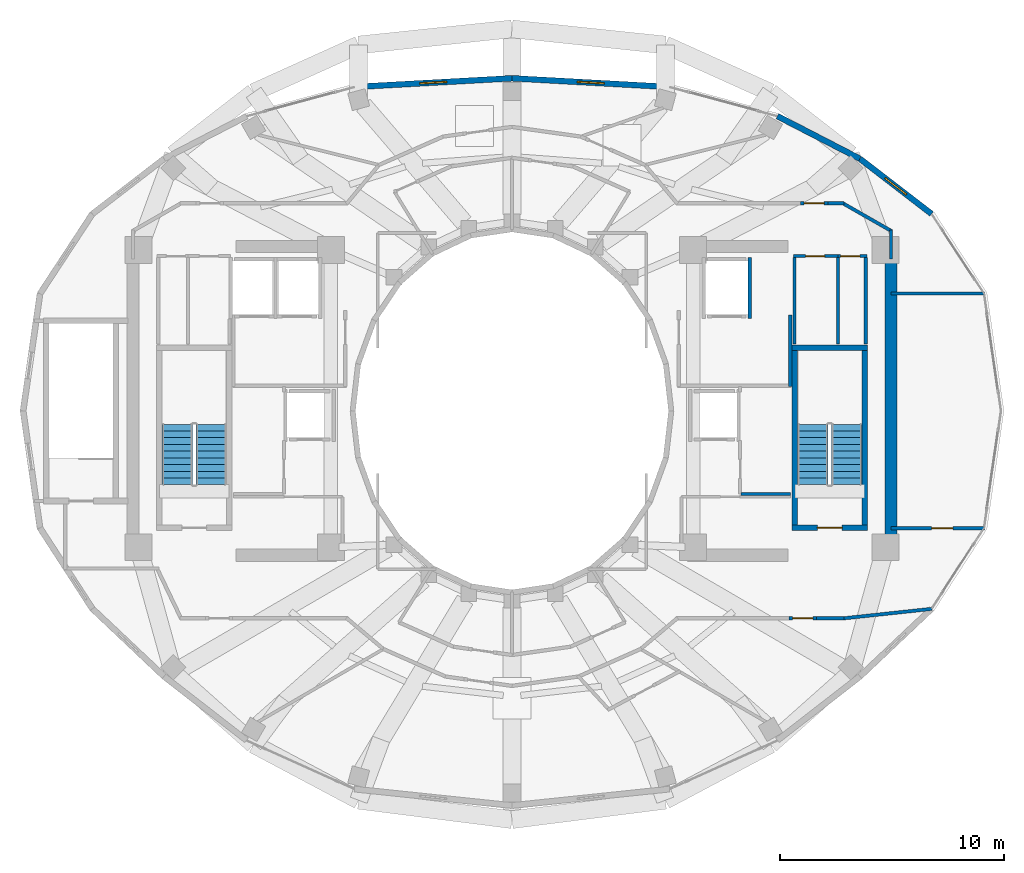
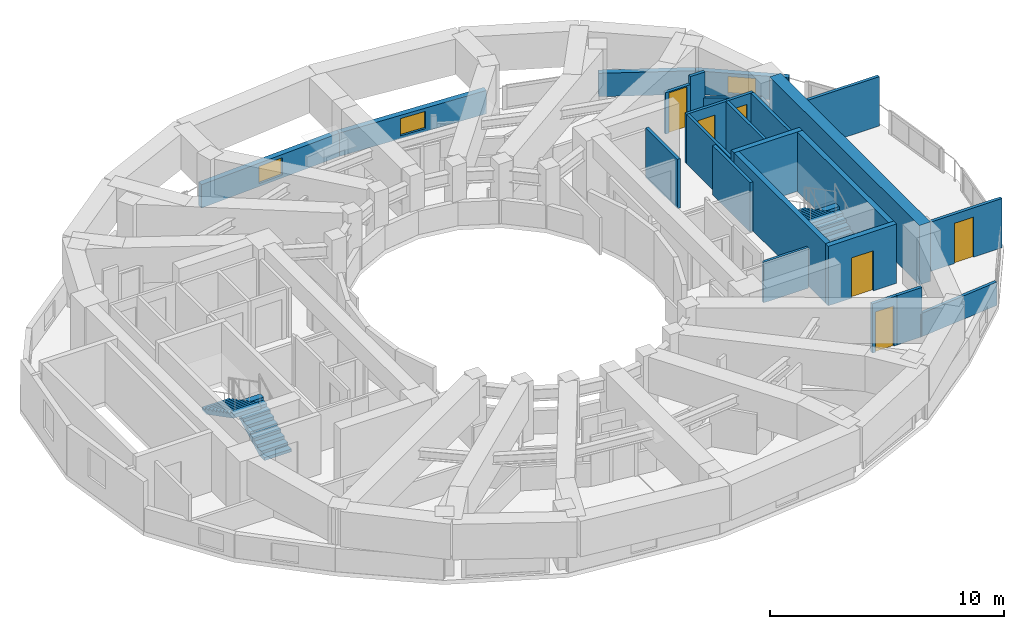
# One storey, part 17 of 20: 26 walls, 6 doors, 4 stair flights, 3 windows, 9 openings, 2 elements without a shape of their own.
"""IFC4 building model written with IfcOpenShell, lengths in metres."""

from ifc_helpers import new_model, si_unit, direction, frame, frame_2d, origin, place, context, subcontext, project, spatial, polyline, rectangle, outline, extrude, material, layer, layer_set, type_object, element, fill, aggregate, save


model = new_model("IFC4")

# Units and contexts
model_context = context("Model", 3, precision=1e-05, world=origin(), true_north=direction((0.0, 1.0)))
body_context = subcontext(model_context, "Body", "Model", "MODEL_VIEW")
ifc_project = project(units=[si_unit("LENGTHUNIT", "METRE"), si_unit("AREAUNIT", "SQUARE_METRE"), si_unit("VOLUMEUNIT", "CUBIC_METRE"), si_unit("PLANEANGLEUNIT", "RADIAN"), si_unit("MASSUNIT", "GRAM", prefix="KILO")], contexts=[model_context])

# Site, building, storey
site_placement = place(None, origin())
site = spatial("IfcSite", under=ifc_project, at=site_placement, CompositionType="ELEMENT")
building_placement = place(site_placement, origin())
building = spatial("IfcBuilding", under=site, at=building_placement, Name="Solvane Sanctuary Tower", CompositionType="ELEMENT")
storey_placement = place(building_placement, frame((0.0, 0.0, 217.10009765625)))
storey = spatial("IfcBuildingStorey", under=building, at=storey_placement, Name="L66", CompositionType="ELEMENT", Elevation=217.10009765625)

# Walls
ifc_material_1 = material(Name="Concrete C50/60", Category="concrete")
ifc_layer_1 = layer(ifc_material_1, 0.550048828125, Name="Concrete C50/60")
ifc_layer_set_1 = layer_set([ifc_layer_1], Name="Concrete C50/60")
wall_type_1 = type_object("IfcWallType", Name="Wall W-CORE-550", PredefinedType="SHEAR", material=ifc_layer_set_1)
wall_1_placement = place(storey_placement, frame((48.949951171875, 17.050048828125, 0.0), z_axis=(0.0, 0.0, 1.0), x_axis=(0.0, 1.0, 0.0)))
element("IfcWall", 1, at=wall_1_placement, inside=storey, type_object=wall_type_1, Name="L66 Core Shear Wall EC-E", PredefinedType="SHEAR", context=body_context, shape_type="SweptSolid", body=[
    extrude(rectangle(XDim=12.800048828125, YDim=0.550048828125, at=frame_2d((6.39990234375, 0.0))), origin(), (0.0, 0.0, 1.0), 3.099853515625),
])
ifc_material_2 = material(Name="Acoustic Gypsum Partition Board")
ifc_layer_2 = layer(ifc_material_2, 0.14990234375, Name="Acoustic Gypsum Partition Board")
ifc_layer_set_2 = layer_set([ifc_layer_2], Name="Acoustic Gypsum Partition Board")
wall_type_2 = type_object("IfcWallType", Name="Wall W-CORR-150", PredefinedType="PARTITIONING", material=ifc_layer_set_2)
wall_2_placement = place(storey_placement, frame((44.449951171875, 24.080078125, 0.0), z_axis=(0.0, 0.0, 1.0), x_axis=(0.0, 1.0, 0.0)))
element("IfcWall", 2, at=wall_2_placement, inside=storey, type_object=wall_type_2, Name="L66 East Firefighting Lobby East Wall", PredefinedType="PARTITIONING", context=body_context, shape_type="SweptSolid", body=[
    extrude(rectangle(XDim=3.199951171875, YDim=0.14990234375, at=frame_2d((1.60009765625, 0.0))), origin(), (0.0, 0.0, 1.0), 2.574951171875),
])

# Wall, opening, door
wall_3_placement = place(storey_placement, frame((48.949951171875, 17.754638671875, 0.0), z_axis=(0.0, 0.0, 1.0), x_axis=(1.0, 0.0, 0.0)))
wall_3 = element("IfcWall", 3, at=wall_3_placement, inside=storey, type_object=wall_type_2, Name="L66 East Shoulder South Wall", PredefinedType="PARTITIONING", context=body_context, shape_type="SweptSolid", body=[
    extrude(rectangle(XDim=4.174560546875, YDim=0.14990234375, at=frame_2d((2.08740234375, 0.0))), origin(), (0.0, 0.0, 1.0), 2.574951171875),
])
opening_1_placement = place(wall_3_placement, frame((1.817138671875, 0.0, 0.0)))
opening_1 = element("IfcOpeningElement", 4, at=opening_1_placement, cuts=wall_3, Name="Opening D-L66-18", PredefinedType="OPENING", context=body_context, shape_type="SweptSolid", body=[
    extrude(rectangle(XDim=0.949951171875, YDim=2.10009765625, at=frame_2d((0.47509765625, 1.050048828125))), frame((0.0, 0.0849609375, 0.0), z_axis=(0.0, -1.0, 0.0), x_axis=(1.0, 0.0, 0.0)), (0.0, 0.0, 1.0), 0.169921875),
])
ifc_material_3 = material(Name="Engineered Tropical Hardwood", Category="wood")
door_type_1 = type_object("IfcDoorType", Name="Door D-ROOM-950", OperationType="NOTDEFINED", PredefinedType="DOOR", material=ifc_material_3)
door_1_placement = place(opening_1_placement, origin())
door_1 = element("IfcDoor", 5, at=door_1_placement, inside=storey, type_object=door_type_1, Name="L66 East Shoulder South Door", OperationType="SINGLE_SWING_RIGHT", OverallHeight=2.10009765625, OverallWidth=0.949951171875, PredefinedType="DOOR", context=body_context, shape_type="SweptSolid", body=[
    extrude(rectangle(XDim=0.949951171875, YDim=2.10009765625, at=frame_2d((0.47509765625, 1.050048828125))), frame((0.0, 0.02490234375, 0.0), z_axis=(0.0, -1.0, 0.0), x_axis=(1.0, 0.0, 0.0)), (0.0, 0.0, 1.0), 0.050048828125),
])
fill(opening_1, door_1)

# Walls
wall_4_placement = place(storey_placement, frame((48.949951171875, 28.245361328125, 0.0), z_axis=(0.0, 0.0, 1.0), x_axis=(1.0, 0.0, 0.0)))
element("IfcWall", 6, at=wall_4_placement, inside=storey, type_object=wall_type_2, Name="L66 East Shoulder North Wall", PredefinedType="PARTITIONING", context=body_context, shape_type="SweptSolid", body=[
    extrude(rectangle(XDim=4.174560546875, YDim=0.14990234375, at=frame_2d((2.08740234375, 0.0))), origin(), (0.0, 0.0, 1.0), 2.574951171875),
])
wall_5_placement = place(storey_placement, frame((48.949951171875, 29.800048828125, 0.0), z_axis=(0.0, 0.0, 1.0), x_axis=(0.0, 1.0, 0.0)))
element("IfcWall", 7, at=wall_5_placement, inside=storey, type_object=wall_type_2, Name="L66 NE Corner Closer 1", PredefinedType="PARTITIONING", context=body_context, shape_type="SweptSolid", body=[
    extrude(rectangle(XDim=1.2900390625, YDim=0.14990234375, at=frame_2d((0.64501953125, 0.0))), origin(), (0.0, 0.0, 1.0), 1.219970703125),
])

# Wall, opening, door
wall_6_placement = place(storey_placement, frame((44.902099609375, 32.280029296875, 0.0), z_axis=(0.0, 0.0, 1.0), x_axis=(1.0, 0.0, 0.0)))
wall_6 = element("IfcWall", 8, at=wall_6_placement, inside=storey, type_object=wall_type_2, Name="L66 NE Corner Corridor Wall", PredefinedType="PARTITIONING", context=body_context, shape_type="SweptSolid", body=[
    extrude(rectangle(XDim=1.219970703125, YDim=0.14990234375, at=frame_2d((0.60986328125, 0.0))), origin(), (0.0, 0.0, 1.0), 2.159912109375),
])
opening_2_placement = place(wall_6_placement, frame((0.159912109375, 0.0, 0.0)))
opening_2 = element("IfcOpeningElement", 9, at=opening_2_placement, cuts=wall_6, Name="Opening D-L66-19", PredefinedType="OPENING", context=body_context, shape_type="SweptSolid", body=[
    extrude(rectangle(XDim=0.89990234375, YDim=2.10009765625, at=frame_2d((0.449951171875, 1.050048828125))), frame((0.0, 0.0849609375, 0.0), z_axis=(0.0, -1.0, 0.0), x_axis=(1.0, 0.0, 0.0)), (0.0, 0.0, 1.0), 0.169921875),
])
door_type_2 = type_object("IfcDoorType", Name="Door D-WET-900", OperationType="NOTDEFINED", PredefinedType="DOOR", material=ifc_material_3)
door_2_placement = place(opening_2_placement, origin())
door_2 = element("IfcDoor", 10, at=door_2_placement, inside=storey, type_object=door_type_2, Name="L66 NE Corner Salon Door", OperationType="SINGLE_SWING_LEFT", OverallHeight=2.10009765625, OverallWidth=0.89990234375, PredefinedType="DOOR", context=body_context, shape_type="SweptSolid", body=[
    extrude(rectangle(XDim=0.89990234375, YDim=2.10009765625, at=frame_2d((0.449951171875, 1.050048828125))), frame((0.0, 0.02490234375, 0.0), z_axis=(0.0, -1.0, 0.0), x_axis=(1.0, 0.0, 0.0)), (0.0, 0.0, 1.0), 0.050048828125),
])
fill(opening_2, door_2)

# Walls
wall_7_placement = place(storey_placement, frame((46.1220703125, 32.280029296875, 0.0), z_axis=(0.0, 0.0, 1.0), x_axis=(1.0, 0.0, 0.0)))
element("IfcWall", 11, at=wall_7_placement, inside=storey, type_object=wall_type_2, Name="L66 NE Corner Corridor Wall", PredefinedType="PARTITIONING", context=body_context, shape_type="SweptSolid", body=[
    extrude(rectangle(XDim=0.72802734375, YDim=0.14990234375, at=frame_2d((0.364013671875, 0.0))), origin(), (0.0, 0.0, 1.0), 2.574951171875),
])
wall_8_placement = place(storey_placement, frame((46.756591796875, 32.3046875, 0.0), z_axis=(0.0, 0.0, 1.0), x_axis=(0.867991349648, -0.496579315857, 0.0)))
element("IfcWall", 12, at=wall_8_placement, inside=storey, type_object=wall_type_2, Name="L66 NE Corner Wing Wall", PredefinedType="PARTITIONING", context=body_context, shape_type="SweptSolid", body=[
    extrude(rectangle(XDim=2.56689453125, YDim=0.14990234375, at=frame_2d((1.283447265625, 0.0))), origin(), (0.0, 0.0, 1.0), 1.219970703125),
])

# Wall, opening, door
wall_9_placement = place(storey_placement, frame((44.389892578125, 13.719970703125, 0.0), z_axis=(0.0, 0.0, 1.0), x_axis=(1.0, 0.0, 0.0)))
wall_9 = element("IfcWall", 13, at=wall_9_placement, inside=storey, type_object=wall_type_2, Name="L66 SE Corner Corridor Wall", PredefinedType="PARTITIONING", context=body_context, shape_type="SweptSolid", body=[
    extrude(rectangle(XDim=1.22021484375, YDim=0.14990234375, at=frame_2d((0.610107421875, 0.0))), origin(), (0.0, 0.0, 1.0), 2.574951171875),
])
opening_3_placement = place(wall_9_placement, frame((0.159912109375, 0.0, 0.0)))
opening_3 = element("IfcOpeningElement", 14, at=opening_3_placement, cuts=wall_9, Name="Opening D-L66-22", PredefinedType="OPENING", context=body_context, shape_type="SweptSolid", body=[
    extrude(rectangle(XDim=0.89990234375, YDim=2.10009765625, at=frame_2d((0.449951171875, 1.050048828125))), frame((0.0, 0.0849609375, 0.0), z_axis=(0.0, -1.0, 0.0), x_axis=(1.0, 0.0, 0.0)), (0.0, 0.0, 1.0), 0.169921875),
])
door_3_placement = place(opening_3_placement, origin())
door_3 = element("IfcDoor", 15, at=door_3_placement, inside=storey, type_object=door_type_2, Name="L66 SE Corner Salon Door", OperationType="SINGLE_SWING_RIGHT", OverallHeight=2.10009765625, OverallWidth=0.89990234375, PredefinedType="DOOR", context=body_context, shape_type="SweptSolid", body=[
    extrude(rectangle(XDim=0.89990234375, YDim=2.10009765625, at=frame_2d((0.449951171875, 1.050048828125))), frame((0.0, 0.02490234375, 0.0), z_axis=(0.0, -1.0, 0.0), x_axis=(1.0, 0.0, 0.0)), (0.0, 0.0, 1.0), 0.050048828125),
])
fill(opening_3, door_3)

# Walls
wall_10_placement = place(storey_placement, frame((45.610107421875, 13.719970703125, 0.0), z_axis=(0.0, 0.0, 1.0), x_axis=(1.0, 0.0, 0.0)))
element("IfcWall", 16, at=wall_10_placement, inside=storey, type_object=wall_type_2, Name="L66 SE Corner Corridor Wall", PredefinedType="PARTITIONING", context=body_context, shape_type="SweptSolid", body=[
    extrude(rectangle(XDim=1.239990234375, YDim=0.14990234375, at=frame_2d((0.6201171875, 0.0))), origin(), (0.0, 0.0, 1.0), 2.574951171875),
])
wall_11_placement = place(storey_placement, frame((46.750244140625, 13.714599609375, 0.0), z_axis=(0.0, 0.0, 1.0), x_axis=(0.994275802046, 0.106843949134, 0.0)))
element("IfcWall", 17, at=wall_11_placement, inside=storey, type_object=wall_type_2, Name="L66 SE Corner Wing Wall", PredefinedType="PARTITIONING", context=body_context, shape_type="SweptSolid", body=[
    extrude(rectangle(XDim=4.049072265625, YDim=0.14990234375, at=frame_2d((2.0244140625, 0.0))), origin(), (0.0, 0.0, 1.0), 1.219970703125),
])

# Wall, opening, window
ifc_material_4 = material(Name="Precast concrete C40/50", Category="concrete")
ifc_layer_3 = layer(ifc_material_4, 0.260009765625, Name="Precast concrete C40/50")
ifc_layer_set_3 = layer_set([ifc_layer_3], Name="Precast concrete C40/50")
wall_type_3 = type_object("IfcWallType", Name="Wall W-EXT-250", PredefinedType="STANDARD", material=ifc_layer_set_3)
wall_12_placement = place(storey_placement, frame((50.760986328125, 31.80908203125, 0.0), z_axis=(0.0, 0.0, 1.0), x_axis=(-0.792713817907, 0.609593965603, 0.0)))
wall_12 = element("IfcWall", 18, at=wall_12_placement, inside=storey, type_object=wall_type_3, Name="L66 Ceramic-Printed Facade Wall 02", PredefinedType="STANDARD", context=body_context, shape_type="SweptSolid", body=[
    extrude(rectangle(XDim=4.041015625, YDim=0.260009765625, at=frame_2d((2.0205078125, 0.0))), origin(), (0.0, 0.0, 1.0), 1.219970703125),
])
opening_4_placement = place(wall_12_placement, frame((1.42041015625, 0.0, 0.14990234375)))
opening_4 = element("IfcOpeningElement", 19, at=opening_4_placement, cuts=wall_12, Name="Opening WN-OPER-1200", PredefinedType="OPENING", context=body_context, shape_type="SweptSolid", body=[
    extrude(rectangle(XDim=1.199951171875, YDim=0.89990234375, at=frame_2d((0.60009765625, 0.449951171875))), frame((0.0, 0.139892578125, 0.0), z_axis=(0.0, -1.0, 0.0), x_axis=(1.0, 0.0, 0.0)), (0.0, 0.0, 1.0), 0.280029296875),
])
ifc_material_5 = material(Name="Dark Ceramic-Fritted Low-E Glass", Category="glass")
window_type = type_object("IfcWindowType", Name="Window WN-OPER-1200", PartitioningType="SINGLE_PANEL", PredefinedType="WINDOW", material=ifc_material_5)
window_1_placement = place(opening_4_placement, origin())
window_1 = element("IfcWindow", 20, at=window_1_placement, inside=storey, type_object=window_type, Name="L66 Operable Facade Window 02", OverallHeight=0.89990234375, OverallWidth=1.199951171875, PartitioningType="SINGLE_PANEL", PredefinedType="WINDOW", context=body_context, shape_type="SweptSolid", body=[
    extrude(rectangle(XDim=1.199951171875, YDim=0.89990234375, at=frame_2d((0.60009765625, 0.449951171875))), frame((0.0, 0.030029296875, 0.0), z_axis=(0.0, -1.0, 0.0), x_axis=(1.0, 0.0, 0.0)), (0.0, 0.0, 1.0), 0.06005859375),
])
fill(opening_4, window_1)

# Wall
wall_13_placement = place(storey_placement, frame((47.5576171875, 34.2724609375, 0.0), z_axis=(0.0, 0.0, 1.0), x_axis=(-0.88849146803, 0.458893137057, 0.0)))
element("IfcWall", 21, at=wall_13_placement, inside=storey, type_object=wall_type_3, Name="L66 Ceramic-Printed Facade Wall 03", PredefinedType="STANDARD", context=body_context, shape_type="SweptSolid", body=[
    extrude(rectangle(XDim=4.150390625, YDim=0.260009765625, at=frame_2d((2.0751953125, 0.0))), origin(), (0.0, 0.0, 1.0), 1.219970703125),
])

# Wall, opening, window
wall_14_placement = place(storey_placement, frame((39.04296875, 37.484619140625, 0.0), z_axis=(0.0, 0.0, 1.0), x_axis=(-0.998490239527, 0.054929423535, 0.0)))
wall_14 = element("IfcWall", 22, at=wall_14_placement, inside=storey, type_object=wall_type_3, Name="L66 Ceramic-Printed Facade Wall 05", PredefinedType="STANDARD", context=body_context, shape_type="SweptSolid", body=[
    extrude(rectangle(XDim=7.0537109375, YDim=0.260009765625, at=frame_2d((3.52685546875, 0.0))), origin(), (0.0, 0.0, 1.0), 1.219970703125),
])
opening_5_placement = place(wall_14_placement, frame((2.9267578125, 0.0, 0.14990234375)))
opening_5 = element("IfcOpeningElement", 23, at=opening_5_placement, cuts=wall_14, Name="Opening WN-OPER-1200", PredefinedType="OPENING", context=body_context, shape_type="SweptSolid", body=[
    extrude(rectangle(XDim=1.199951171875, YDim=0.89990234375, at=frame_2d((0.60009765625, 0.449951171875))), frame((0.0, 0.139892578125, 0.0), z_axis=(0.0, -1.0, 0.0), x_axis=(1.0, 0.0, 0.0)), (0.0, 0.0, 1.0), 0.280029296875),
])
window_2_placement = place(opening_5_placement, origin())
window_2 = element("IfcWindow", 24, at=window_2_placement, inside=storey, type_object=window_type, Name="L66 Operable Facade Window 05", OverallHeight=0.89990234375, OverallWidth=1.199951171875, PartitioningType="SINGLE_PANEL", PredefinedType="WINDOW", context=body_context, shape_type="SweptSolid", body=[
    extrude(rectangle(XDim=1.199951171875, YDim=0.89990234375, at=frame_2d((0.60009765625, 0.449951171875))), frame((0.0, 0.030029296875, 0.0), z_axis=(0.0, -1.0, 0.0), x_axis=(1.0, 0.0, 0.0)), (0.0, 0.0, 1.0), 0.06005859375),
])
fill(opening_5, window_2)

wall_15_placement = place(storey_placement, frame((32.0, 37.8720703125, 0.0), z_axis=(0.0, 0.0, 1.0), x_axis=(-0.998490239527, -0.054929423535, 0.0)))
wall_15 = element("IfcWall", 25, at=wall_15_placement, inside=storey, type_object=wall_type_3, Name="L66 Ceramic-Printed Facade Wall 06", PredefinedType="STANDARD", context=body_context, shape_type="SweptSolid", body=[
    extrude(rectangle(XDim=7.0537109375, YDim=0.260009765625, at=frame_2d((3.52685546875, 0.0))), origin(), (0.0, 0.0, 1.0), 1.219970703125),
])
opening_6_placement = place(wall_15_placement, frame((2.9267578125, 0.0, 0.14990234375)))
opening_6 = element("IfcOpeningElement", 26, at=opening_6_placement, cuts=wall_15, Name="Opening WN-OPER-1200", PredefinedType="OPENING", context=body_context, shape_type="SweptSolid", body=[
    extrude(rectangle(XDim=1.199951171875, YDim=0.89990234375, at=frame_2d((0.60009765625, 0.449951171875))), frame((0.0, 0.139892578125, 0.0), z_axis=(0.0, -1.0, 0.0), x_axis=(1.0, 0.0, 0.0)), (0.0, 0.0, 1.0), 0.280029296875),
])
window_3_placement = place(opening_6_placement, origin())
window_3 = element("IfcWindow", 27, at=window_3_placement, inside=storey, type_object=window_type, Name="L66 Operable Facade Window 06", OverallHeight=0.89990234375, OverallWidth=1.199951171875, PartitioningType="SINGLE_PANEL", PredefinedType="WINDOW", context=body_context, shape_type="SweptSolid", body=[
    extrude(rectangle(XDim=1.199951171875, YDim=0.89990234375, at=frame_2d((0.60009765625, 0.449951171875))), frame((0.0, 0.030029296875, 0.0), z_axis=(0.0, -1.0, 0.0), x_axis=(1.0, 0.0, 0.0)), (0.0, 0.0, 1.0), 0.06005859375),
])
fill(opening_6, window_3)

# Walls
ifc_layer_4 = layer(ifc_material_2, 0.125, Name="Acoustic Gypsum Partition Board")
ifc_layer_set_4 = layer_set([ifc_layer_4], Name="Acoustic Gypsum Partition Board")
wall_type_4 = type_object("IfcWallType", Name="Wall W-PART-125", PredefinedType="PARTITIONING", material=ifc_layer_set_4)
wall_16_placement = place(storey_placement, frame((42.239990234375, 19.280029296875, 0.0), z_axis=(0.0, 0.0, 1.0), x_axis=(1.0, 0.0, 0.0)))
element("IfcWall", 28, at=wall_16_placement, inside=storey, type_object=wall_type_4, Name="L66 Reclaimed Room Closer Wall PME-1", PredefinedType="PARTITIONING", context=body_context, shape_type="SweptSolid", body=[
    extrude(rectangle(XDim=2.2099609375, YDim=0.125, at=frame_2d((1.10498046875, 0.0))), origin(), (0.0, 0.0, 1.0), 2.119873046875),
])
ifc_layer_5 = layer(ifc_material_1, 0.14990234375, Name="Concrete C50/60")
ifc_layer_set_5 = layer_set([ifc_layer_5], Name="Concrete C50/60")
wall_type_5 = type_object("IfcWallType", Name="Wall W-SHAFT-150", PredefinedType="SOLIDWALL", material=ifc_layer_set_5)
wall_17_placement = place(storey_placement, frame((42.6298828125, 27.139892578125, 0.0), z_axis=(0.0, 0.0, 1.0), x_axis=(0.0, 1.0, 0.0)))
element("IfcWall", 29, at=wall_17_placement, inside=storey, type_object=wall_type_5, Name="L66 FFL-2 Lift Shaft Wall S2", PredefinedType="SOLIDWALL", context=body_context, shape_type="SweptSolid", body=[
    extrude(rectangle(XDim=2.72021484375, YDim=0.14990234375, at=frame_2d((1.360107421875, 0.0))), origin(), (0.0, 0.0, 1.0), 2.574951171875),
])

# Wall, opening, door
ifc_layer_6 = layer(ifc_material_1, 0.25, Name="Concrete C50/60")
ifc_layer_set_6 = layer_set([ifc_layer_6], Name="Concrete C50/60")
wall_type_6 = type_object("IfcWallType", Name="Wall W-SHAFT-250", PredefinedType="SOLIDWALL", material=ifc_layer_set_6)
wall_18_placement = place(storey_placement, frame((44.52490234375, 17.77001953125, 0.0), z_axis=(0.0, 0.0, 1.0), x_axis=(1.0, 0.0, 0.0)))
wall_18 = element("IfcWall", 30, at=wall_18_placement, inside=storey, type_object=wall_type_6, Name="L66 ST-2 Load-Bearing Shaft Wall S", PredefinedType="SOLIDWALL", context=body_context, shape_type="SweptSolid", body=[
    extrude(rectangle(XDim=3.3701171875, YDim=0.25, at=frame_2d((1.68505859375, 0.0))), origin(), (0.0, 0.0, 1.0), 3.099853515625),
])
opening_7_placement = place(wall_18_placement, frame((1.135009765625, 0.0, 0.0)))
opening_7 = element("IfcOpeningElement", 31, at=opening_7_placement, cuts=wall_18, Name="Opening D-L66-02", PredefinedType="OPENING", context=body_context, shape_type="SweptSolid", body=[
    extrude(rectangle(XDim=1.10009765625, YDim=2.10009765625, at=frame_2d((0.550048828125, 1.050048828125))), frame((0.0, 0.135009765625, 0.0), z_axis=(0.0, -1.0, 0.0), x_axis=(1.0, 0.0, 0.0)), (0.0, 0.0, 1.0), 0.27001953125),
])
ifc_material_6 = material(Name="Architectural Stainless Steel 316", Category="steel")
door_type_3 = type_object("IfcDoorType", Name="Door D-STAIR", OperationType="NOTDEFINED", PredefinedType="DOOR", material=ifc_material_6)
door_4_placement = place(opening_7_placement, origin())
door_4 = element("IfcDoor", 32, at=door_4_placement, inside=storey, type_object=door_type_3, Name="L66 ST-2 Exit Stair Fire Door", OperationType="SINGLE_SWING_LEFT", OverallHeight=2.10009765625, OverallWidth=1.10009765625, PredefinedType="DOOR", context=body_context, shape_type="SweptSolid", body=[
    extrude(rectangle(XDim=1.10009765625, YDim=2.10009765625, at=frame_2d((0.550048828125, 1.050048828125))), frame((0.0, 0.02490234375, 0.0), z_axis=(0.0, -1.0, 0.0), x_axis=(1.0, 0.0, 0.0)), (0.0, 0.0, 1.0), 0.050048828125),
])
fill(opening_7, door_4)

# Walls
wall_19_placement = place(storey_placement, frame((44.52490234375, 25.830078125, 0.0), z_axis=(0.0, 0.0, 1.0), x_axis=(1.0, 0.0, 0.0)))
element("IfcWall", 33, at=wall_19_placement, inside=storey, type_object=wall_type_6, Name="L66 ST-2 Load-Bearing Shaft Wall N", PredefinedType="SOLIDWALL", context=body_context, shape_type="SweptSolid", body=[
    extrude(rectangle(XDim=3.3701171875, YDim=0.25, at=frame_2d((1.68505859375, 0.0))), origin(), (0.0, 0.0, 1.0), 3.099853515625),
])
for number, where, z_axis, x_axis, name in (
    (34, (44.64990234375, 17.89501953125, 0.0), (0.0, 0.0, 1.0), (0.0, 1.0, 0.0), "L66 ST-2 Load-Bearing Shaft Wall W"),
    (35, (47.77001953125, 17.89501953125, 0.0), (0.0, 0.0, 1.0), (0.0, 1.0, 0.0), "L66 ST-2 Load-Bearing Shaft Wall E"),
):
    element("IfcWall", number, at=place(storey_placement, frame(where, z_axis=z_axis, x_axis=x_axis)), inside=storey, type_object=wall_type_6, Name=name, PredefinedType="SOLIDWALL", context=body_context, shape_type="SweptSolid", body=[
        extrude(rectangle(XDim=7.81005859375, YDim=0.25, at=frame_2d((3.905029296875, 0.0))), origin(), (0.0, 0.0, 1.0), 3.099853515625),
    ])

# Wall, opening, door
ifc_layer_7 = layer(ifc_material_2, 0.139892578125, Name="Acoustic Gypsum Partition Board")
ifc_layer_set_7 = layer_set([ifc_layer_7], Name="Acoustic Gypsum Partition Board")
wall_type_7 = type_object("IfcWallType", Name="Wall W-WET-140", PredefinedType="PLUMBINGWALL", material=ifc_layer_set_7)
wall_20_placement = place(storey_placement, frame((44.580078125, 29.919921875, 0.0), z_axis=(0.0, 0.0, 1.0), x_axis=(1.0, 0.0, 0.0)))
wall_20 = element("IfcWall", 36, at=wall_20_placement, inside=storey, type_object=wall_type_7, Name="L66 Core Service Front Wall KE1", PredefinedType="PLUMBINGWALL", context=body_context, shape_type="SweptSolid", body=[
    extrude(rectangle(XDim=2.0, YDim=0.139892578125, at=frame_2d((1.0, 0.0))), origin(), (0.0, 0.0, 1.0), 2.574951171875),
])
opening_8_placement = place(wall_20_placement, frame((0.550048828125, 0.0, 0.0)))
opening_8 = element("IfcOpeningElement", 37, at=opening_8_placement, cuts=wall_20, Name="Opening D-L66-12", PredefinedType="OPENING", context=body_context, shape_type="SweptSolid", body=[
    extrude(rectangle(XDim=0.85009765625, YDim=2.050048828125, at=frame_2d((0.425048828125, 1.02490234375))), frame((0.0, 0.079833984375, 0.0), z_axis=(0.0, -1.0, 0.0), x_axis=(1.0, 0.0, 0.0)), (0.0, 0.0, 1.0), 0.159912109375),
])
door_type_4 = type_object("IfcDoorType", Name="Door D-RISER", OperationType="NOTDEFINED", PredefinedType="DOOR", material=ifc_material_6)
door_5_placement = place(opening_8_placement, origin())
door_5 = element("IfcDoor", 38, at=door_5_placement, inside=storey, type_object=door_type_4, Name="L66 Core Service Room Door KE1-1", OperationType="SINGLE_SWING_RIGHT", OverallHeight=2.050048828125, OverallWidth=0.85009765625, PredefinedType="DOOR", context=body_context, shape_type="SweptSolid", body=[
    extrude(rectangle(XDim=0.85009765625, YDim=2.050048828125, at=frame_2d((0.425048828125, 1.02490234375))), frame((0.0, 0.02490234375, 0.0), z_axis=(0.0, -1.0, 0.0), x_axis=(1.0, 0.0, 0.0)), (0.0, 0.0, 1.0), 0.050048828125),
])
fill(opening_8, door_5)

# Walls
for number, where, z_axis, x_axis, name in (
    (39, (44.639892578125, 25.97998046875, 0.0), (0.0, 0.0, 1.0), (0.0, 1.0, 0.0), "L66 Core Service Side Wall KE1-1"),
    (40, (46.580078125, 25.97998046875, 0.0), (0.0, 0.0, 1.0), (0.0, 1.0, 0.0), "L66 Core Service Side Wall KE1-2"),
):
    element("IfcWall", number, at=place(storey_placement, frame(where, z_axis=z_axis, x_axis=x_axis)), inside=storey, type_object=wall_type_7, Name=name, PredefinedType="PLUMBINGWALL", context=body_context, shape_type="SweptSolid", body=[
        extrude(rectangle(XDim=3.880126953125, YDim=0.139892578125, at=frame_2d((1.93994140625, 0.0))), origin(), (0.0, 0.0, 1.0), 2.574951171875),
    ])

# Wall, opening, door
wall_21_placement = place(storey_placement, frame((46.580078125, 29.919921875, 0.0), z_axis=(0.0, 0.0, 1.0), x_axis=(1.0, 0.0, 0.0)))
wall_21 = element("IfcWall", 41, at=wall_21_placement, inside=storey, type_object=wall_type_7, Name="L66 Core Service Front Wall KE2", PredefinedType="PLUMBINGWALL", context=body_context, shape_type="SweptSolid", body=[
    extrude(rectangle(XDim=1.2998046875, YDim=0.139892578125, at=frame_2d((0.64990234375, 0.0))), origin(), (0.0, 0.0, 1.0), 2.574951171875),
])
opening_9_placement = place(wall_21_placement, frame((0.1201171875, 0.0, 0.0)))
opening_9 = element("IfcOpeningElement", 42, at=opening_9_placement, cuts=wall_21, Name="Opening D-L66-13", PredefinedType="OPENING", context=body_context, shape_type="SweptSolid", body=[
    extrude(rectangle(XDim=0.85009765625, YDim=2.050048828125, at=frame_2d((0.425048828125, 1.02490234375))), frame((0.0, 0.079833984375, 0.0), z_axis=(0.0, -1.0, 0.0), x_axis=(1.0, 0.0, 0.0)), (0.0, 0.0, 1.0), 0.159912109375),
])
door_6_placement = place(opening_9_placement, origin())
door_6 = element("IfcDoor", 43, at=door_6_placement, inside=storey, type_object=door_type_4, Name="L66 Core Service Room Door KE2-1", OperationType="SINGLE_SWING_LEFT", OverallHeight=2.050048828125, OverallWidth=0.85009765625, PredefinedType="DOOR", context=body_context, shape_type="SweptSolid", body=[
    extrude(rectangle(XDim=0.85009765625, YDim=2.050048828125, at=frame_2d((0.425048828125, 1.02490234375))), frame((0.0, 0.02490234375, 0.0), z_axis=(0.0, -1.0, 0.0), x_axis=(1.0, 0.0, 0.0)), (0.0, 0.0, 1.0), 0.050048828125),
])
fill(opening_9, door_6)

# Wall
wall_22_placement = place(storey_placement, frame((47.820068359375, 25.97998046875, 0.0), z_axis=(0.0, 0.0, 1.0), x_axis=(0.0, 1.0, 0.0)))
element("IfcWall", 44, at=wall_22_placement, inside=storey, type_object=wall_type_7, Name="L66 Core Service Side Wall KE2-1", PredefinedType="PLUMBINGWALL", context=body_context, shape_type="SweptSolid", body=[
    extrude(rectangle(XDim=3.880126953125, YDim=0.139892578125, at=frame_2d((1.93994140625, 0.0))), origin(), (0.0, 0.0, 1.0), 2.574951171875),
])

# Stair, stair flights
ifc_material_7 = material(Name="Concrete C45/55", Category="concrete")
stair_type = type_object("IfcStairType", Name="Stair ST-TOW", PredefinedType="HALF_TURN_STAIR", material=ifc_material_7)
stair_1_placement = place(storey_placement, origin())
stair_1 = element("IfcStair", 45, at=stair_1_placement, inside=storey, type_object=stair_type, Name="L66 Exit Stair ST-1 West Core", PredefinedType="HALF_TURN_STAIR")
stair_flight_type = type_object("IfcStairFlightType", Name="StairFlight SF-TOW", PredefinedType="STRAIGHT", material=ifc_material_7)
stair_flight_1_placement = place(storey_placement, frame((18.544921875, 19.699951171875, 0.0), z_axis=(0.0, 0.0, 1.0), x_axis=(0.0, 1.0, 0.0)))
stair_flight_1 = element("IfcStairFlight", 46, at=stair_flight_1_placement, type_object=stair_flight_type, Name="ST-1 flight 1", NumberOfRisers=10, NumberOfTreads=9, PredefinedType="STRAIGHT", RiserHeight=0.155, TreadLength=0.3, context=body_context, shape_type="SweptSolid", body=[
    extrude(outline(polyline([(0.0, 0.0), (0.0, 0.155029296875), (0.300048828125, 0.155029296875), (0.300048828125, 0.31005859375), (0.60009765625, 0.31005859375), (0.60009765625, 0.465087890625), (0.89990234375, 0.465087890625), (0.89990234375, 0.6201171875), (1.199951171875, 0.6201171875), (1.199951171875, 0.77490234375), (1.5, 0.77490234375), (1.5, 0.929931640625), (1.800048828125, 0.929931640625), (1.800048828125, 1.0849609375), (2.10009765625, 1.0849609375), (2.10009765625, 1.239990234375), (2.39990234375, 1.239990234375), (2.39990234375, 1.39501953125), (2.699951171875, 1.39501953125), (2.699951171875, 1.550048828125), (2.699951171875, 1.1923828125), (0.39208984375, 0.0), (0.0, 0.0)])), frame((0.0, 0.675048828125, 0.0), z_axis=(0.0, -1.0, 0.0), x_axis=(1.0, 0.0, 0.0)), (0.0, 0.0, 1.0), 1.35009765625),
])
stair_flight_2_placement = place(storey_placement, frame((17.034912109375, 22.39990234375, 1.5498046875), z_axis=(0.0, 0.0, 1.0), x_axis=(0.0, -1.0, 0.0)))
stair_flight_2 = element("IfcStairFlight", 47, at=stair_flight_2_placement, type_object=stair_flight_type, Name="ST-1 flight 2", NumberOfRisers=10, NumberOfTreads=9, PredefinedType="STRAIGHT", RiserHeight=0.155, TreadLength=0.3, context=body_context, shape_type="SweptSolid", body=[
    extrude(outline(polyline([(0.0, 0.0), (0.0, 0.155029296875), (0.300048828125, 0.155029296875), (0.300048828125, 0.31005859375), (0.60009765625, 0.31005859375), (0.60009765625, 0.465087890625), (0.89990234375, 0.465087890625), (0.89990234375, 0.6201171875), (1.199951171875, 0.6201171875), (1.199951171875, 0.77490234375), (1.5, 0.77490234375), (1.5, 0.929931640625), (1.800048828125, 0.929931640625), (1.800048828125, 1.0849609375), (2.10009765625, 1.0849609375), (2.10009765625, 1.239990234375), (2.39990234375, 1.239990234375), (2.39990234375, 1.39501953125), (2.699951171875, 1.39501953125), (2.699951171875, 1.550048828125), (2.699951171875, 1.1923828125), (0.39208984375, 0.0), (0.0, 0.0)])), frame((0.0, 0.675048828125, 0.0), z_axis=(0.0, -1.0, 0.0), x_axis=(1.0, 0.0, 0.0)), (0.0, 0.0, 1.0), 1.35009765625),
])
aggregate(stair_1, [stair_flight_1, stair_flight_2])

stair_2_placement = place(storey_placement, origin())
stair_2 = element("IfcStair", 48, at=stair_2_placement, inside=storey, type_object=stair_type, Name="L66 Exit Stair ST-2 East Core", PredefinedType="HALF_TURN_STAIR")
stair_flight_3_placement = place(storey_placement, frame((46.965087890625, 19.699951171875, 0.0), z_axis=(0.0, 0.0, 1.0), x_axis=(0.0, 1.0, 0.0)))
stair_flight_3 = element("IfcStairFlight", 49, at=stair_flight_3_placement, type_object=stair_flight_type, Name="ST-2 flight 1", NumberOfRisers=10, NumberOfTreads=9, PredefinedType="STRAIGHT", RiserHeight=0.155, TreadLength=0.3, context=body_context, shape_type="SweptSolid", body=[
    extrude(outline(polyline([(0.0, 0.0), (0.0, 0.155029296875), (0.300048828125, 0.155029296875), (0.300048828125, 0.31005859375), (0.60009765625, 0.31005859375), (0.60009765625, 0.465087890625), (0.89990234375, 0.465087890625), (0.89990234375, 0.6201171875), (1.199951171875, 0.6201171875), (1.199951171875, 0.77490234375), (1.5, 0.77490234375), (1.5, 0.929931640625), (1.800048828125, 0.929931640625), (1.800048828125, 1.0849609375), (2.10009765625, 1.0849609375), (2.10009765625, 1.239990234375), (2.39990234375, 1.239990234375), (2.39990234375, 1.39501953125), (2.699951171875, 1.39501953125), (2.699951171875, 1.550048828125), (2.699951171875, 1.1923828125), (0.39208984375, 0.0), (0.0, 0.0)])), frame((0.0, 0.675048828125, 0.0), z_axis=(0.0, -1.0, 0.0), x_axis=(1.0, 0.0, 0.0)), (0.0, 0.0, 1.0), 1.35009765625),
])
stair_flight_4_placement = place(storey_placement, frame((45.455078125, 22.39990234375, 1.5498046875), z_axis=(0.0, 0.0, 1.0), x_axis=(0.0, -1.0, 0.0)))
stair_flight_4 = element("IfcStairFlight", 50, at=stair_flight_4_placement, type_object=stair_flight_type, Name="ST-2 flight 2", NumberOfRisers=10, NumberOfTreads=9, PredefinedType="STRAIGHT", RiserHeight=0.155, TreadLength=0.3, context=body_context, shape_type="SweptSolid", body=[
    extrude(outline(polyline([(0.0, 0.0), (0.0, 0.155029296875), (0.300048828125, 0.155029296875), (0.300048828125, 0.31005859375), (0.60009765625, 0.31005859375), (0.60009765625, 0.465087890625), (0.89990234375, 0.465087890625), (0.89990234375, 0.6201171875), (1.199951171875, 0.6201171875), (1.199951171875, 0.77490234375), (1.5, 0.77490234375), (1.5, 0.929931640625), (1.800048828125, 0.929931640625), (1.800048828125, 1.0849609375), (2.10009765625, 1.0849609375), (2.10009765625, 1.239990234375), (2.39990234375, 1.239990234375), (2.39990234375, 1.39501953125), (2.699951171875, 1.39501953125), (2.699951171875, 1.550048828125), (2.699951171875, 1.1923828125), (0.39208984375, 0.0), (0.0, 0.0)])), frame((0.0, 0.675048828125, 0.0), z_axis=(0.0, -1.0, 0.0), x_axis=(1.0, 0.0, 0.0)), (0.0, 0.0, 1.0), 1.35009765625),
])
aggregate(stair_2, [stair_flight_3, stair_flight_4])

save(model, "model.ifc")
